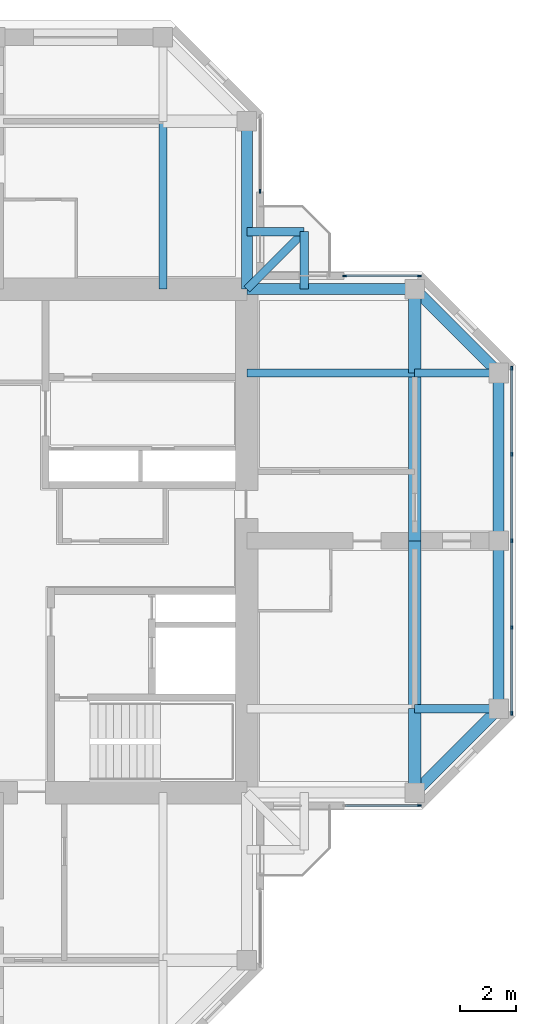
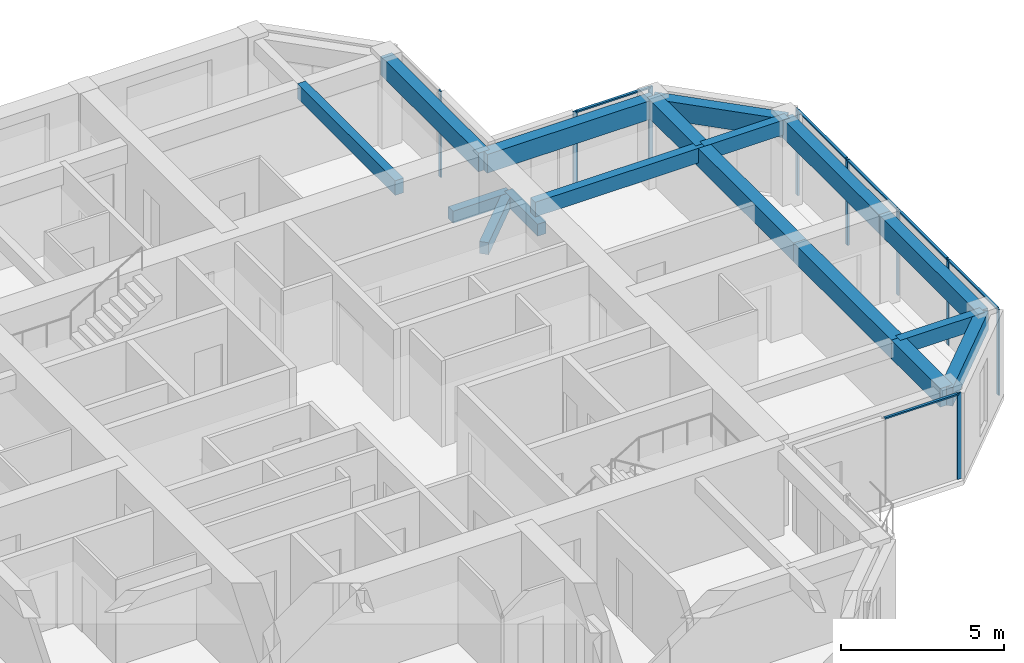
# One storey, part 5 of 13: 17 beams, 15 members, 4 elements without a shape of their own.
"""IFC4 building model written with IfcOpenShell, lengths in metres."""

from ifc_helpers import new_model, si_unit, direction, frame, origin, origin_2d, place, context, subcontext, project, spatial, rectangle, extrude, material, material_profile, profile_set, type_object, element, aggregate, save


model = new_model("IFC4")

# Units and contexts
model_context = context("Model", 3, precision=1e-05, world=origin(), true_north=direction((0.0, 1.0)))
body_context = subcontext(model_context, "Body", "Model", "MODEL_VIEW")
ifc_project = project(units=[si_unit("LENGTHUNIT", "METRE"), si_unit("AREAUNIT", "SQUARE_METRE"), si_unit("VOLUMEUNIT", "CUBIC_METRE"), si_unit("PLANEANGLEUNIT", "RADIAN"), si_unit("MASSUNIT", "GRAM", prefix="KILO")], contexts=[model_context])

# Site, building, storey
site_placement = place(None, origin())
site = spatial("IfcSite", under=ifc_project, at=site_placement, CompositionType="ELEMENT")
building_placement = place(site_placement, origin())
building = spatial("IfcBuilding", under=site, at=building_placement, Name="Torre Cruceta", CompositionType="ELEMENT")
storey_placement = place(building_placement, frame((0.0, 0.0, 267.89990234375)))
storey = spatial("IfcBuildingStorey", under=building, at=storey_placement, Name="L69", CompositionType="ELEMENT", Elevation=267.89990234375)

# Beams
ifc_material_1 = material(Name="Concrete G60 (fck 60 MPa)", Category="concrete")
ifc_material_profile_1 = material_profile(ifc_material_1, rectangle(XDim=0.300048828125, YDim=0.449951171875, at=origin_2d()), Name="RC 300X450")
ifc_profile_set_1 = profile_set([ifc_material_profile_1], Name="Concrete G60 (fck 60 MPa)")
beam_type_1 = type_object("IfcBeamType", Name="BALCONY CANTILEVER BEAM RC 300X450", PredefinedType="BEAM", material=ifc_profile_set_1)
beam_1_placement = place(storey_placement, frame((9.0, 9.0, -0.40478515625), z_axis=(0.707106781187, 0.707106781187, 0.0), x_axis=(-0.707106781187, 0.707106781187, 0.0)))
element("IfcBeam", 1, at=beam_1_placement, inside=storey, type_object=beam_type_1, Name="BB1 balcony beam L69 E", PredefinedType="BEAM", context=body_context, shape_type="SweptSolid", body=[
    extrude(rectangle(XDim=0.300048828125, YDim=0.449951171875, at=origin_2d()), origin(), (0.0, 0.0, 1.0), 2.89990234375),
])
for number, where, z_axis, x_axis, name in (
    (2, (11.050537109375, 9.0, -0.40478515625), (0.0, 1.0, 0.0), (-1.0, 0.0, 0.0), "BB1 balcony edge beam L69 E-X"),
    (3, (9.0, 11.050537109375, -0.40478515625), (1.0, 0.0, 0.0), (0.0, 1.0, 0.0), "BB1 balcony edge beam L69 E-Y"),
):
    element("IfcBeam", number, at=place(storey_placement, frame(where, z_axis=z_axis, x_axis=x_axis)), inside=storey, type_object=beam_type_1, Name=name, PredefinedType="BEAM", context=body_context, shape_type="SweptSolid", body=[
        extrude(rectangle(XDim=0.300048828125, YDim=0.449951171875, at=origin_2d()), origin(), (0.0, 0.0, 1.0), 2.050537109375),
    ])
ifc_material_2 = material(Name="Concrete G60 (fck 60 MPa)", Category="concrete")
ifc_material_profile_2 = material_profile(ifc_material_2, rectangle(XDim=0.300048828125, YDim=0.550048828125, at=origin_2d()), Name="RC 300X550")
ifc_profile_set_2 = profile_set([ifc_material_profile_2], Name="Concrete G60 (fck 60 MPa)")
beam_type_2 = type_object("IfcBeamType", Name="COLUMN LINE BEAM RC 300X550", PredefinedType="BEAM", material=ifc_profile_set_2)
beam_2_placement = place(storey_placement, frame((6.0, 9.0, 2.945068359375), z_axis=(0.0, 1.0, 0.0), x_axis=(-1.0, 0.0, 0.0)))
element("IfcBeam", 4, at=beam_2_placement, inside=storey, type_object=beam_type_2, Name="LB10 L69 N col- 1", PredefinedType="BEAM", context=body_context, shape_type="SweptSolid", body=[
    extrude(rectangle(XDim=0.300048828125, YDim=0.550048828125, at=origin_2d()), origin(), (0.0, 0.0, 1.0), 6.0),
])
beam_3_placement = place(storey_placement, frame((15.0, -6.0, 2.945068359375), z_axis=(1.0, 0.0, 0.0), x_axis=(0.0, 1.0, 0.0)))
element("IfcBeam", 5, at=beam_3_placement, inside=storey, type_object=beam_type_2, Name="LB10 L69 E col- 2", PredefinedType="BEAM", context=body_context, shape_type="SweptSolid", body=[
    extrude(rectangle(XDim=0.300048828125, YDim=0.550048828125, at=origin_2d()), origin(), (0.0, 0.0, 1.0), 3.0),
])
beam_4_placement = place(storey_placement, frame((9.0, 6.0, 2.945068359375), z_axis=(1.0, 0.0, 0.0), x_axis=(0.0, 1.0, 0.0)))
element("IfcBeam", 6, at=beam_4_placement, inside=storey, type_object=beam_type_2, Name="LB10 L69 E col+ 1", PredefinedType="BEAM", context=body_context, shape_type="SweptSolid", body=[
    extrude(rectangle(XDim=0.300048828125, YDim=0.550048828125, at=origin_2d()), origin(), (0.0, 0.0, 1.0), 6.0),
])
beam_5_placement = place(storey_placement, frame((15.0, 6.0, 2.945068359375), z_axis=(1.0, 0.0, 0.0), x_axis=(0.0, 1.0, 0.0)))
element("IfcBeam", 7, at=beam_5_placement, inside=storey, type_object=beam_type_2, Name="LB10 L69 E col+ 2", PredefinedType="BEAM", context=body_context, shape_type="SweptSolid", body=[
    extrude(rectangle(XDim=0.300048828125, YDim=0.550048828125, at=origin_2d()), origin(), (0.0, 0.0, 1.0), 3.0),
])
ifc_material_3 = material(Name="Concrete G60 (fck 60 MPa)", Category="concrete")
ifc_material_profile_3 = material_profile(ifc_material_3, rectangle(XDim=0.449951171875, YDim=0.699951171875, at=origin_2d()), Name="RC 450X700")
ifc_profile_set_3 = profile_set([ifc_material_profile_3], Name="Concrete G60 (fck 60 MPa)")
beam_type_3 = type_object("IfcBeamType", Name="CROSS BEAM RC 450X700", PredefinedType="BEAM", material=ifc_profile_set_3)
beam_6_placement = place(storey_placement, frame((15.0, -9.0, 2.8701171875), z_axis=(0.0, 1.0, 0.0), x_axis=(-1.0, 0.0, 0.0)))
element("IfcBeam", 8, at=beam_6_placement, inside=storey, type_object=beam_type_3, Name="GB8 L69 E cross15 1", PredefinedType="BEAM", context=body_context, shape_type="SweptSolid", body=[
    extrude(rectangle(XDim=0.449951171875, YDim=0.699951171875, at=origin_2d()), origin(), (0.0, 0.0, 1.0), 3.0),
])
for number, where, z_axis, x_axis, name in (
    (9, (15.0, -6.0, 2.8701171875), (0.0, 1.0, 0.0), (-1.0, 0.0, 0.0), "GB8 L69 E cross15 2"),
    (10, (15.0, 0.0, 2.8701171875), (0.0, 1.0, 0.0), (-1.0, 0.0, 0.0), "GB8 L69 E cross15 3"),
):
    element("IfcBeam", number, at=place(storey_placement, frame(where, z_axis=z_axis, x_axis=x_axis)), inside=storey, type_object=beam_type_3, Name=name, PredefinedType="BEAM", context=body_context, shape_type="SweptSolid", body=[
        extrude(rectangle(XDim=0.449951171875, YDim=0.699951171875, at=origin_2d()), origin(), (0.0, 0.0, 1.0), 6.0),
    ])
beam_7_placement = place(storey_placement, frame((15.0, 6.0, 2.8701171875), z_axis=(0.0, 1.0, 0.0), x_axis=(-1.0, 0.0, 0.0)))
element("IfcBeam", 11, at=beam_7_placement, inside=storey, type_object=beam_type_3, Name="GB8 L69 E cross15 4", PredefinedType="BEAM", context=body_context, shape_type="SweptSolid", body=[
    extrude(rectangle(XDim=0.449951171875, YDim=0.699951171875, at=origin_2d()), origin(), (0.0, 0.0, 1.0), 3.0),
])

# Curtain wall, member
ifc_material_4 = material(Name="Aluminium unitised curtain wall", Category="aluminium")
curtain_wall_type = type_object("IfcCurtainWallType", Name="CURTAIN WALL CW-E CO-LIVING TOP", PredefinedType="USERDEFINED", material=ifc_material_4)
curtain_wall_1_placement = place(storey_placement, origin())
curtain_wall_1 = element("IfcCurtainWall", 12, at=curtain_wall_1_placement, inside=storey, type_object=curtain_wall_type, Name="CW-E L69 E side 00", ObjectType="UNITISED", PredefinedType="USERDEFINED")
ifc_material_5 = material(Name="Aluminium mullion", Category="aluminium")
ifc_material_profile_4 = material_profile(ifc_material_5, rectangle(XDim=0.054931640625, YDim=0.139892578125, at=origin_2d()), Name="AL 55X140")
ifc_profile_set_4 = profile_set([ifc_material_profile_4], Name="Aluminium mullion")
member_type_1 = type_object("IfcMemberType", Name="CW-E MULLION 55X140", PredefinedType="MULLION", material=ifc_profile_set_4)
member_1_placement = place(storey_placement, frame((15.167236328125, -9.469970703125, 0.0), z_axis=(0.0, 0.0, 1.0), x_axis=(0.0, 1.0, 0.0)))
member_1 = element("IfcMember", 13, at=member_1_placement, type_object=member_type_1, Name="CW-E mullion 2", PredefinedType="MULLION", context=body_context, shape_type="SweptSolid", body=[
    extrude(rectangle(XDim=0.054931640625, YDim=0.139892578125, at=origin_2d()), origin(), (0.0, 0.0, 1.0), 3.22021484375),
])

# Curtain wall, members
curtain_wall_2_placement = place(storey_placement, origin())
curtain_wall_2 = element("IfcCurtainWall", 14, at=curtain_wall_2_placement, inside=storey, type_object=curtain_wall_type, Name="CW-E L69 E tip 02", ObjectType="UNITISED", PredefinedType="USERDEFINED")
member_2_placement = place(storey_placement, frame((18.469970703125, -6.167236328125, 0.0), z_axis=(0.0, 0.0, 1.0), x_axis=(-1.0, 0.0, 0.0)))
member_2 = element("IfcMember", 15, at=member_2_placement, type_object=member_type_1, Name="CW-E mullion 1", PredefinedType="MULLION", context=body_context, shape_type="SweptSolid", body=[
    extrude(rectangle(XDim=0.054931640625, YDim=0.139892578125, at=origin_2d()), origin(), (0.0, 0.0, 1.0), 3.22021484375),
])
member_3_placement = place(storey_placement, frame((18.469970703125, -3.097412109375, 0.0), z_axis=(0.0, 0.0, 1.0), x_axis=(-1.0, 0.0, 0.0)))
member_3 = element("IfcMember", 16, at=member_3_placement, type_object=member_type_1, Name="CW-E mullion 2", PredefinedType="MULLION", context=body_context, shape_type="SweptSolid", body=[
    extrude(rectangle(XDim=0.054931640625, YDim=0.139892578125, at=origin_2d()), origin(), (0.0, 0.0, 1.0), 3.22021484375),
])
member_4_placement = place(storey_placement, frame((18.469970703125, 0.0, 0.0), z_axis=(0.0, 0.0, 1.0), x_axis=(-1.0, 0.0, 0.0)))
member_4 = element("IfcMember", 17, at=member_4_placement, type_object=member_type_1, Name="CW-E mullion 3", PredefinedType="MULLION", context=body_context, shape_type="SweptSolid", body=[
    extrude(rectangle(XDim=0.054931640625, YDim=0.139892578125, at=origin_2d()), origin(), (0.0, 0.0, 1.0), 3.22021484375),
])
member_5_placement = place(storey_placement, frame((18.469970703125, 3.097412109375, 0.0), z_axis=(0.0, 0.0, 1.0), x_axis=(-1.0, 0.0, 0.0)))
member_5 = element("IfcMember", 18, at=member_5_placement, type_object=member_type_1, Name="CW-E mullion 4", PredefinedType="MULLION", context=body_context, shape_type="SweptSolid", body=[
    extrude(rectangle(XDim=0.054931640625, YDim=0.139892578125, at=origin_2d()), origin(), (0.0, 0.0, 1.0), 3.22021484375),
])
member_6_placement = place(storey_placement, frame((18.469970703125, 6.167236328125, 0.0), z_axis=(0.0, 0.0, 1.0), x_axis=(-1.0, 0.0, 0.0)))
member_6 = element("IfcMember", 19, at=member_6_placement, type_object=member_type_1, Name="CW-E mullion 5", PredefinedType="MULLION", context=body_context, shape_type="SweptSolid", body=[
    extrude(rectangle(XDim=0.054931640625, YDim=0.139892578125, at=origin_2d()), origin(), (0.0, 0.0, 1.0), 3.22021484375),
])

curtain_wall_3_placement = place(storey_placement, origin())
curtain_wall_3 = element("IfcCurtainWall", 20, at=curtain_wall_3_placement, inside=storey, type_object=curtain_wall_type, Name="CW-E L69 E side 04", ObjectType="UNITISED", PredefinedType="USERDEFINED")
member_7_placement = place(storey_placement, frame((15.167236328125, 9.469970703125, 0.0), z_axis=(0.0, 0.0, 1.0), x_axis=(0.0, -1.0, 0.0)))
member_7 = element("IfcMember", 21, at=member_7_placement, type_object=member_type_1, Name="CW-E mullion 1", PredefinedType="MULLION", context=body_context, shape_type="SweptSolid", body=[
    extrude(rectangle(XDim=0.054931640625, YDim=0.139892578125, at=origin_2d()), origin(), (0.0, 0.0, 1.0), 3.22021484375),
])
member_8_placement = place(storey_placement, frame((12.49755859375, 9.469970703125, 0.0), z_axis=(0.0, 0.0, 1.0), x_axis=(0.0, -1.0, 0.0)))
member_8 = element("IfcMember", 22, at=member_8_placement, type_object=member_type_1, Name="CW-E mullion 2", PredefinedType="MULLION", context=body_context, shape_type="SweptSolid", body=[
    extrude(rectangle(XDim=0.054931640625, YDim=0.139892578125, at=origin_2d()), origin(), (0.0, 0.0, 1.0), 3.22021484375),
])

# Curtain wall, member
curtain_wall_4_placement = place(storey_placement, origin())
curtain_wall_4 = element("IfcCurtainWall", 23, at=curtain_wall_4_placement, inside=storey, type_object=curtain_wall_type, Name="CW-E L69 N side 05", ObjectType="UNITISED", PredefinedType="USERDEFINED")
member_9_placement = place(storey_placement, frame((9.469970703125, 12.49755859375, 0.0), z_axis=(0.0, 0.0, 1.0), x_axis=(-1.0, 0.0, 0.0)))
member_9 = element("IfcMember", 24, at=member_9_placement, type_object=member_type_1, Name="CW-E mullion 1", PredefinedType="MULLION", context=body_context, shape_type="SweptSolid", body=[
    extrude(rectangle(XDim=0.054931640625, YDim=0.139892578125, at=origin_2d()), origin(), (0.0, 0.0, 1.0), 3.22021484375),
])
aggregate(curtain_wall_4, [member_9])

# Member
ifc_material_6 = material(Name="Aluminium transom", Category="aluminium")
ifc_material_profile_5 = material_profile(ifc_material_6, rectangle(XDim=0.090087890625, YDim=0.054931640625, at=origin_2d()), Name="AL 90X55")
ifc_profile_set_5 = profile_set([ifc_material_profile_5], Name="Aluminium transom")
member_type_2 = type_object("IfcMemberType", Name="CW-E TRANSOM 55X90", PredefinedType="USERDEFINED", material=ifc_profile_set_5)
member_10_placement = place(storey_placement, frame((12.52490234375, -9.469970703125, 3.192626953125), z_axis=(1.0, 0.0, 0.0), x_axis=(0.0, 1.0, 0.0)))
member_10 = element("IfcMember", 25, at=member_10_placement, type_object=member_type_2, Name="CW-E transom 1", ObjectType="TRANSOM", PredefinedType="USERDEFINED", context=body_context, shape_type="SweptSolid", body=[
    extrude(rectangle(XDim=0.090087890625, YDim=0.054931640625, at=origin_2d()), origin(), (0.0, 0.0, 1.0), 2.61474609375),
])

aggregate(curtain_wall_1, [member_1, member_10])

member_11_placement = place(storey_placement, frame((18.469970703125, -6.1396484375, 3.192626953125), z_axis=(0.0, 1.0, 0.0), x_axis=(-1.0, 0.0, 0.0)))
member_11 = element("IfcMember", 26, at=member_11_placement, type_object=member_type_2, Name="CW-E transom 1", ObjectType="TRANSOM", PredefinedType="USERDEFINED", context=body_context, shape_type="SweptSolid", body=[
    extrude(rectangle(XDim=0.090087890625, YDim=0.054931640625, at=origin_2d()), origin(), (0.0, 0.0, 1.0), 3.014892578125),
])

member_12_placement = place(storey_placement, frame((18.469970703125, -3.06982421875, 3.192626953125), z_axis=(0.0, 1.0, 0.0), x_axis=(-1.0, 0.0, 0.0)))
member_12 = element("IfcMember", 27, at=member_12_placement, type_object=member_type_2, Name="CW-E transom 2", ObjectType="TRANSOM", PredefinedType="USERDEFINED", context=body_context, shape_type="SweptSolid", body=[
    extrude(rectangle(XDim=0.090087890625, YDim=0.054931640625, at=origin_2d()), origin(), (0.0, 0.0, 1.0), 3.042236328125),
])

member_13_placement = place(storey_placement, frame((18.469970703125, 0.027587890625, 3.192626953125), z_axis=(0.0, 1.0, 0.0), x_axis=(-1.0, 0.0, 0.0)))
member_13 = element("IfcMember", 28, at=member_13_placement, type_object=member_type_2, Name="CW-E transom 3", ObjectType="TRANSOM", PredefinedType="USERDEFINED", context=body_context, shape_type="SweptSolid", body=[
    extrude(rectangle(XDim=0.090087890625, YDim=0.054931640625, at=origin_2d()), origin(), (0.0, 0.0, 1.0), 3.042236328125),
])

member_14_placement = place(storey_placement, frame((18.469970703125, 3.124755859375, 3.192626953125), z_axis=(0.0, 1.0, 0.0), x_axis=(-1.0, 0.0, 0.0)))
member_14 = element("IfcMember", 29, at=member_14_placement, type_object=member_type_2, Name="CW-E transom 4", ObjectType="TRANSOM", PredefinedType="USERDEFINED", context=body_context, shape_type="SweptSolid", body=[
    extrude(rectangle(XDim=0.090087890625, YDim=0.054931640625, at=origin_2d()), origin(), (0.0, 0.0, 1.0), 3.014892578125),
])

aggregate(curtain_wall_2, [member_2, member_3, member_4, member_5, member_6, member_11, member_12, member_13, member_14])

member_15_placement = place(storey_placement, frame((15.1396484375, 9.469970703125, 3.192626953125), z_axis=(-1.0, 0.0, 0.0), x_axis=(0.0, -1.0, 0.0)))
member_15 = element("IfcMember", 30, at=member_15_placement, type_object=member_type_2, Name="CW-E transom 1", ObjectType="TRANSOM", PredefinedType="USERDEFINED", context=body_context, shape_type="SweptSolid", body=[
    extrude(rectangle(XDim=0.090087890625, YDim=0.054931640625, at=origin_2d()), origin(), (0.0, 0.0, 1.0), 2.61474609375),
])

aggregate(curtain_wall_3, [member_7, member_8, member_15])

# Beams
ifc_material_7 = material(Name="Concrete G60 (fck 60 MPa)", Category="concrete")
ifc_material_profile_6 = material_profile(ifc_material_7, rectangle(XDim=0.39990234375, YDim=0.699951171875, at=origin_2d()), Name="RC 400X700")
ifc_profile_set_6 = profile_set([ifc_material_profile_6], Name="Concrete G60 (fck 60 MPa)")
beam_type_4 = type_object("IfcBeamType", Name="SPANDREL BEAM RC 400X700", PredefinedType="SPANDREL", material=ifc_profile_set_6)
beam_8_placement = place(storey_placement, frame((9.0, 9.0, 2.8701171875), z_axis=(0.0, 1.0, 0.0), x_axis=(-1.0, 0.0, 0.0)))
element("IfcBeam", 31, at=beam_8_placement, inside=storey, type_object=beam_type_4, Name="SB8 L69 N side- 1", PredefinedType="SPANDREL", context=body_context, shape_type="SweptSolid", body=[
    extrude(rectangle(XDim=0.39990234375, YDim=0.699951171875, at=origin_2d()), origin(), (0.0, 0.0, 1.0), 6.0),
])
beam_9_placement = place(storey_placement, frame((15.0, -9.0, 2.8701171875), z_axis=(0.707106781187, 0.707106781187, 0.0), x_axis=(-0.707106781187, 0.707106781187, 0.0)))
element("IfcBeam", 32, at=beam_9_placement, inside=storey, type_object=beam_type_4, Name="SB8 L69 E side- 2", PredefinedType="SPANDREL", context=body_context, shape_type="SweptSolid", body=[
    extrude(rectangle(XDim=0.39990234375, YDim=0.699951171875, at=origin_2d()), origin(), (0.0, 0.0, 1.0), 4.24267578125),
])
beam_10_placement = place(storey_placement, frame((9.0, 9.0, 2.8701171875), z_axis=(1.0, 0.0, 0.0), x_axis=(0.0, 1.0, 0.0)))
element("IfcBeam", 33, at=beam_10_placement, inside=storey, type_object=beam_type_4, Name="SB8 L69 E side+ 1", PredefinedType="SPANDREL", context=body_context, shape_type="SweptSolid", body=[
    extrude(rectangle(XDim=0.39990234375, YDim=0.699951171875, at=origin_2d()), origin(), (0.0, 0.0, 1.0), 6.0),
])
beam_11_placement = place(storey_placement, frame((15.0, 9.0, 2.8701171875), z_axis=(0.707106781187, -0.707106781187, 0.0), x_axis=(0.707106781187, 0.707106781187, 0.0)))
element("IfcBeam", 34, at=beam_11_placement, inside=storey, type_object=beam_type_4, Name="SB8 L69 E side+ 2", PredefinedType="SPANDREL", context=body_context, shape_type="SweptSolid", body=[
    extrude(rectangle(XDim=0.39990234375, YDim=0.699951171875, at=origin_2d()), origin(), (0.0, 0.0, 1.0), 4.24267578125),
])
for number, where, z_axis, x_axis, name in (
    (35, (18.0, -6.0, 2.8701171875), (0.0, 1.0, 0.0), (-1.0, 0.0, 0.0), "SB8 L69 E tip 1"),
    (36, (18.0, 0.0, 2.8701171875), (0.0, 1.0, 0.0), (-1.0, 0.0, 0.0), "SB8 L69 E tip 2"),
):
    element("IfcBeam", number, at=place(storey_placement, frame(where, z_axis=z_axis, x_axis=x_axis)), inside=storey, type_object=beam_type_4, Name=name, PredefinedType="SPANDREL", context=body_context, shape_type="SweptSolid", body=[
        extrude(rectangle(XDim=0.39990234375, YDim=0.699951171875, at=origin_2d()), origin(), (0.0, 0.0, 1.0), 6.0),
    ])

save(model, "model.ifc")
